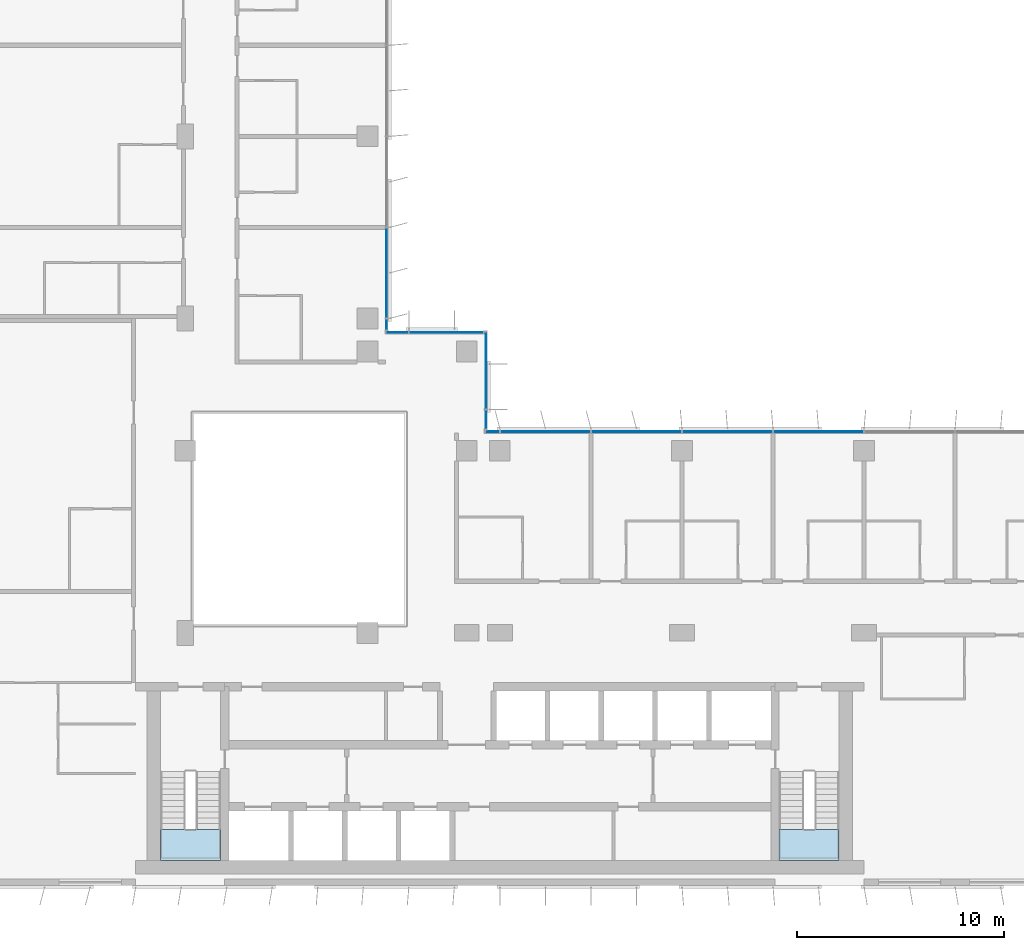
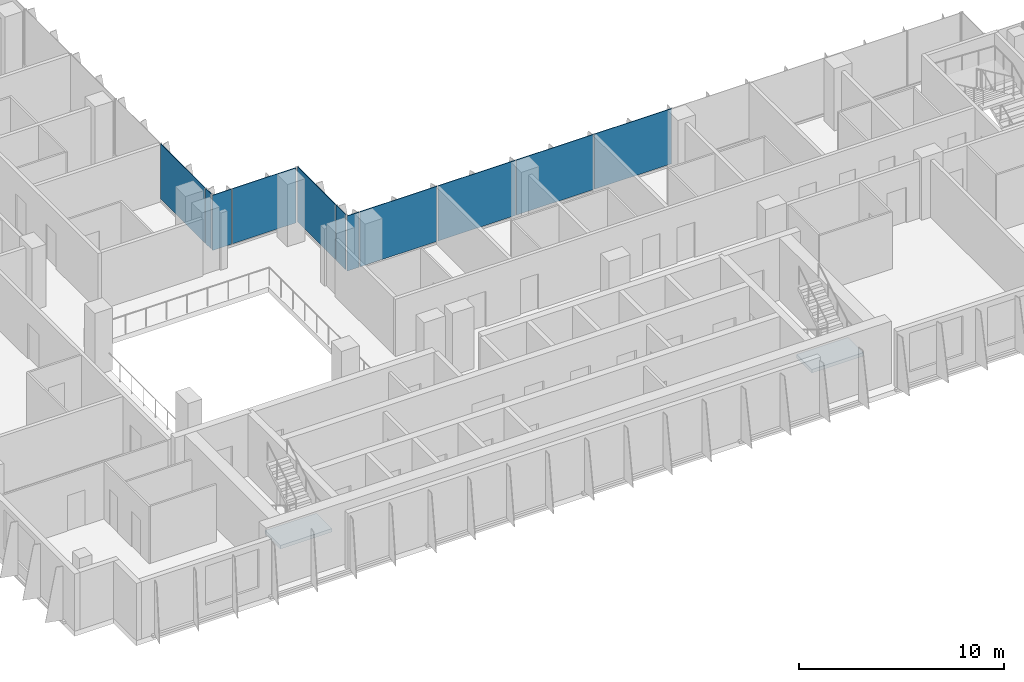
# One storey, part 10 of 21: 11 plates, 2 slabs, 6 elements without a shape of their own.
"""IFC4 building model written with IfcOpenShell, lengths in metres."""

from ifc_helpers import new_model, si_unit, direction, frame, origin, origin_2d, place, context, subcontext, project, spatial, polyline, rectangle, outline, extrude, source, transform, mapped, material, layer, layer_set, type_object, element, aggregate, save


model = new_model("IFC4")

# Units and contexts
model_context = context("Model", 3, precision=1e-05, world=origin(), true_north=direction((0.0, 1.0)))
body_context = subcontext(model_context, "Body", "Model", "MODEL_VIEW")
ifc_project = project(units=[si_unit("LENGTHUNIT", "METRE"), si_unit("AREAUNIT", "SQUARE_METRE"), si_unit("VOLUMEUNIT", "CUBIC_METRE"), si_unit("PLANEANGLEUNIT", "RADIAN"), si_unit("MASSUNIT", "GRAM", prefix="KILO")], contexts=[model_context])

# Site, building, storey
site_placement = place(None, origin())
site = spatial("IfcSite", under=ifc_project, at=site_placement, CompositionType="ELEMENT")
building_placement = place(site_placement, origin())
building = spatial("IfcBuilding", under=site, at=building_placement, Name="Kemantara Hotel Tower", CompositionType="ELEMENT")
storey_placement = place(building_placement, frame((0.0, 0.0, 215.39990234375)))
storey = spatial("IfcBuildingStorey", under=building, at=storey_placement, Name="L53", CompositionType="ELEMENT", Elevation=215.39990234375)

# Stair, slab
ifc_material_1 = material(Name="Concrete fc 40 MPa", Category="concrete")
stair_type = type_object("IfcStairType", Name="Stair 1200 wide 22 risers of 168 x 280 mm", PredefinedType="HALF_TURN_STAIR", material=ifc_material_1)
stair_1_placement = place(storey_placement, origin())
stair_1 = element("IfcStair", 1, at=stair_1_placement, inside=storey, type_object=stair_type, Name="L53 Exit stair ST1", PredefinedType="HALF_TURN_STAIR")
ifc_layer_1 = layer(ifc_material_1, 0.199951171875)
ifc_layer_set_1 = layer_set([ifc_layer_1], Name="Concrete fc 40 MPa")
slab_type = type_object("IfcSlabType", Name="Stair landing 200 mm", PredefinedType="LANDING", material=ifc_layer_set_1)
slab_1_placement = place(storey_placement, frame((0.0, 0.0, 1.650146484375)))
slab_1 = element("IfcSlab", 2, at=slab_1_placement, type_object=slab_type, Name="ST1 landing 1", PredefinedType="LANDING", context=body_context, shape_type="SweptSolid", body=[
    extrude(outline(polyline([(11.0, 2.699951171875), (11.0, 1.199951171875), (13.89990234375, 1.199951171875), (13.89990234375, 2.699951171875), (11.0, 2.699951171875)])), origin(), (0.0, 0.0, 1.0), 0.199951171875),
])
aggregate(stair_1, [slab_1])

stair_2_placement = place(storey_placement, origin())
stair_2 = element("IfcStair", 3, at=stair_2_placement, inside=storey, type_object=stair_type, Name="L53 Exit stair ST2", PredefinedType="HALF_TURN_STAIR")
slab_2_placement = place(storey_placement, frame((0.0, 0.0, 1.650146484375)))
slab_2 = element("IfcSlab", 4, at=slab_2_placement, type_object=slab_type, Name="ST2 landing 1", PredefinedType="LANDING", context=body_context, shape_type="SweptSolid", body=[
    extrude(outline(polyline([(40.89990234375, 2.699951171875), (40.89990234375, 1.199951171875), (43.800048828125, 1.199951171875), (43.800048828125, 2.699951171875), (40.89990234375, 2.699951171875)])), origin(), (0.0, 0.0, 1.0), 0.199951171875),
])
aggregate(stair_2, [slab_2])

# Curtain wall, plates
ifc_material_2 = material(Name="Low-E tinted double insulated glass 36 mm", Category="glass")
curtain_wall_type = type_object("IfcCurtainWallType", Name="TOWER CURTAIN WALL, FRONT FACES", PredefinedType="USERDEFINED", material=ifc_material_2)
curtain_wall_1_placement = place(storey_placement, origin())
curtain_wall_1 = element("IfcCurtainWall", 5, at=curtain_wall_1_placement, inside=storey, type_object=curtain_wall_type, Name="CW4 L53 T3-R14-1", ObjectType="TOWER CURTAIN WALL, FRONT FACES", PredefinedType="USERDEFINED")
ifc_layer_2 = layer(ifc_material_2, 0.035888671875)
ifc_layer_set_2 = layer_set([ifc_layer_2], Name="Low-E tinted double insulated glass 36 mm")
plate_type = type_object("IfcPlateType", Name="TOWER CURTAIN WALL, FRONT FACES PANEL", PredefinedType="CURTAIN_PANEL", material=ifc_layer_set_2)
shared_shape_1 = source(origin(), body_context, "Body", "SweptSolid", [
    extrude(rectangle(XDim=4.340087890625, YDim=0.035888671875, at=origin_2d()), origin(), (0.0, 0.0, 1.0), 3.280029296875),
])
plate_1_placement = place(storey_placement, frame((42.800048828125, 21.925048828125, 0.1201171875), z_axis=(0.0, 0.0, 1.0), x_axis=(-1.0, 0.0, 0.0)))
plate_1 = element("IfcPlate", 6, at=plate_1_placement, type_object=plate_type, Name="CW4 glass panel T3-R14-1.5", PredefinedType="CURTAIN_PANEL", context=body_context, shape_type="MappedRepresentation", body=[
    mapped(shared_shape_1, transform((0.0, 0.0, 0.0))),
])
plate_2_placement = place(storey_placement, frame((38.39990234375, 21.925048828125, 0.1201171875), z_axis=(0.0, 0.0, 1.0), x_axis=(-1.0, 0.0, 0.0)))
plate_2 = element("IfcPlate", 7, at=plate_2_placement, type_object=plate_type, Name="CW4 glass panel T3-R14-1.6", PredefinedType="CURTAIN_PANEL", context=body_context, shape_type="MappedRepresentation", body=[
    mapped(shared_shape_1, transform((0.0, 0.0, 0.0))),
])
plate_3_placement = place(storey_placement, frame((34.0, 21.925048828125, 0.1201171875), z_axis=(0.0, 0.0, 1.0), x_axis=(-1.0, 0.0, 0.0)))
plate_3 = element("IfcPlate", 8, at=plate_3_placement, type_object=plate_type, Name="CW4 glass panel T3-R14-1.7", PredefinedType="CURTAIN_PANEL", context=body_context, shape_type="MappedRepresentation", body=[
    mapped(shared_shape_1, transform((0.0, 0.0, 0.0))),
])
plate_4_placement = place(storey_placement, frame((29.60009765625, 21.925048828125, 0.1201171875), z_axis=(0.0, 0.0, 1.0), x_axis=(-1.0, 0.0, 0.0)))
plate_4 = element("IfcPlate", 9, at=plate_4_placement, type_object=plate_type, Name="CW4 glass panel T3-R14-1.8", PredefinedType="CURTAIN_PANEL", context=body_context, shape_type="MappedRepresentation", body=[
    mapped(shared_shape_1, transform((0.0, 0.0, 0.0))),
])

# Curtain wall, plate
curtain_wall_2_placement = place(storey_placement, origin())
curtain_wall_2 = element("IfcCurtainWall", 10, at=curtain_wall_2_placement, inside=storey, type_object=curtain_wall_type, Name="CW4 L53 T3-R17-1", ObjectType="TOWER CURTAIN WALL, FRONT FACES", PredefinedType="USERDEFINED")
plate_5_placement = place(storey_placement, frame((21.925048828125, 29.60009765625, 0.1201171875), z_axis=(0.0, 0.0, 1.0), x_axis=(0.0, 1.0, 0.0)))
plate_5 = element("IfcPlate", 11, at=plate_5_placement, type_object=plate_type, Name="CW4 glass panel T3-R17-1.2", PredefinedType="CURTAIN_PANEL", context=body_context, shape_type="MappedRepresentation", body=[
    mapped(shared_shape_1, transform((0.0, 0.0, 0.0))),
])

# Plate
shared_shape_2 = source(origin(), body_context, "Body", "SweptSolid", [
    extrude(rectangle(XDim=0.659912109375, YDim=0.035888671875, at=origin_2d()), origin(), (0.0, 0.0, 1.0), 3.280029296875),
])
plate_6_placement = place(storey_placement, frame((27.0400390625, 21.925048828125, 0.1201171875), z_axis=(0.0, 0.0, 1.0), x_axis=(-1.0, 0.0, 0.0)))
plate_6 = element("IfcPlate", 12, at=plate_6_placement, type_object=plate_type, Name="CW4 glass panel T3-R14-1.9", PredefinedType="CURTAIN_PANEL", context=body_context, shape_type="MappedRepresentation", body=[
    mapped(shared_shape_2, transform((0.0, 0.0, 0.0))),
])

aggregate(curtain_wall_1, [plate_1, plate_2, plate_3, plate_4, plate_6])

shared_shape_3 = source(origin(), body_context, "Body", "SweptSolid", [
    extrude(rectangle(XDim=0.510009765625, YDim=0.035888671875, at=origin_2d()), origin(), (0.0, 0.0, 1.0), 3.280029296875),
])
plate_7_placement = place(storey_placement, frame((21.925048828125, 27.114990234375, 0.1201171875), z_axis=(0.0, 0.0, 1.0), x_axis=(0.0, 1.0, 0.0)))
plate_7 = element("IfcPlate", 13, at=plate_7_placement, type_object=plate_type, Name="CW4 glass panel T3-R17-1.1", PredefinedType="CURTAIN_PANEL", context=body_context, shape_type="MappedRepresentation", body=[
    mapped(shared_shape_3, transform((0.0, 0.0, 0.0))),
])

aggregate(curtain_wall_2, [plate_7, plate_5])

# Curtain wall, plates
curtain_wall_3_placement = place(storey_placement, origin())
curtain_wall_3 = element("IfcCurtainWall", 14, at=curtain_wall_3_placement, inside=storey, type_object=curtain_wall_type, Name="CW4 L53 T3-R15-1", ObjectType="TOWER CURTAIN WALL, FRONT FACES", PredefinedType="USERDEFINED")
shared_shape_4 = source(origin(), body_context, "Body", "SweptSolid", [
    extrude(rectangle(XDim=0.909912109375, YDim=0.035888671875, at=origin_2d()), origin(), (0.0, 0.0, 1.0), 3.280029296875),
])
plate_8_placement = place(storey_placement, frame((26.72509765625, 22.514892578125, 0.1201171875), z_axis=(0.0, 0.0, 1.0), x_axis=(0.0, 1.0, 0.0)))
plate_8 = element("IfcPlate", 15, at=plate_8_placement, type_object=plate_type, Name="CW4 glass panel T3-R15-1.1", PredefinedType="CURTAIN_PANEL", context=body_context, shape_type="MappedRepresentation", body=[
    mapped(shared_shape_4, transform((0.0, 0.0, 0.0))),
])
shared_shape_5 = source(origin(), body_context, "Body", "SweptSolid", [
    extrude(rectangle(XDim=3.7099609375, YDim=0.035888671875, at=origin_2d()), origin(), (0.0, 0.0, 1.0), 3.280029296875),
])
plate_9_placement = place(storey_placement, frame((26.72509765625, 24.885009765625, 0.1201171875), z_axis=(0.0, 0.0, 1.0), x_axis=(0.0, 1.0, 0.0)))
plate_9 = element("IfcPlate", 16, at=plate_9_placement, type_object=plate_type, Name="CW4 glass panel T3-R15-1.2", PredefinedType="CURTAIN_PANEL", context=body_context, shape_type="MappedRepresentation", body=[
    mapped(shared_shape_5, transform((0.0, 0.0, 0.0))),
])
aggregate(curtain_wall_3, [plate_8, plate_9])

curtain_wall_4_placement = place(storey_placement, origin())
curtain_wall_4 = element("IfcCurtainWall", 17, at=curtain_wall_4_placement, inside=storey, type_object=curtain_wall_type, Name="CW4 L53 T3-R16-1", ObjectType="TOWER CURTAIN WALL, FRONT FACES", PredefinedType="USERDEFINED")
shared_shape_6 = source(origin(), body_context, "Body", "SweptSolid", [
    extrude(rectangle(XDim=3.56005859375, YDim=0.035888671875, at=origin_2d()), origin(), (0.0, 0.0, 1.0), 3.280029296875),
])
plate_10_placement = place(storey_placement, frame((24.81005859375, 26.72509765625, 0.1201171875), z_axis=(0.0, 0.0, 1.0), x_axis=(-1.0, 0.0, 0.0)))
plate_10 = element("IfcPlate", 18, at=plate_10_placement, type_object=plate_type, Name="CW4 glass panel T3-R16-1.1", PredefinedType="CURTAIN_PANEL", context=body_context, shape_type="MappedRepresentation", body=[
    mapped(shared_shape_6, transform((0.0, 0.0, 0.0))),
])
shared_shape_7 = source(origin(), body_context, "Body", "SweptSolid", [
    extrude(rectangle(XDim=1.06005859375, YDim=0.035888671875, at=origin_2d()), origin(), (0.0, 0.0, 1.0), 3.280029296875),
])
plate_11_placement = place(storey_placement, frame((22.43994140625, 26.72509765625, 0.1201171875), z_axis=(0.0, 0.0, 1.0), x_axis=(-1.0, 0.0, 0.0)))
plate_11 = element("IfcPlate", 19, at=plate_11_placement, type_object=plate_type, Name="CW4 glass panel T3-R16-1.2", PredefinedType="CURTAIN_PANEL", context=body_context, shape_type="MappedRepresentation", body=[
    mapped(shared_shape_7, transform((0.0, 0.0, 0.0))),
])
aggregate(curtain_wall_4, [plate_10, plate_11])

save(model, "model.ifc")
